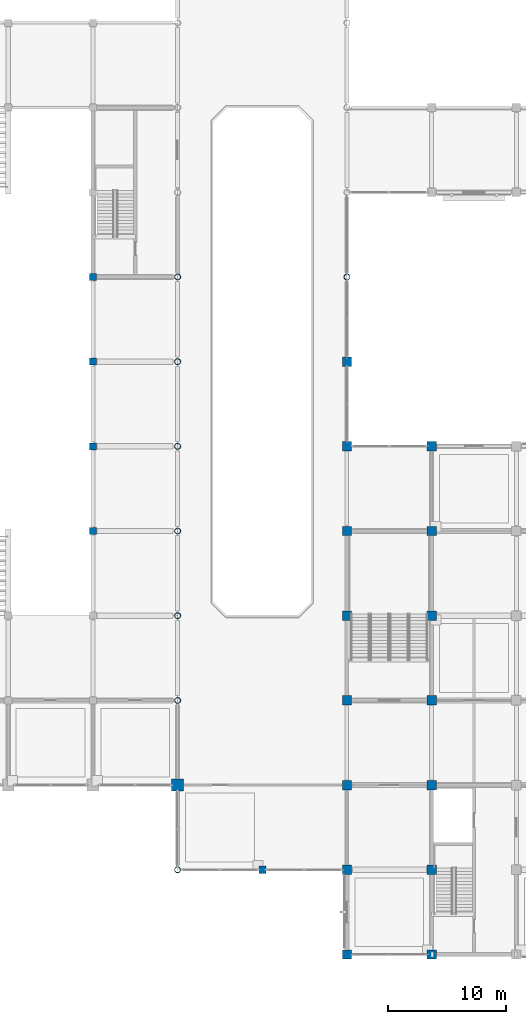
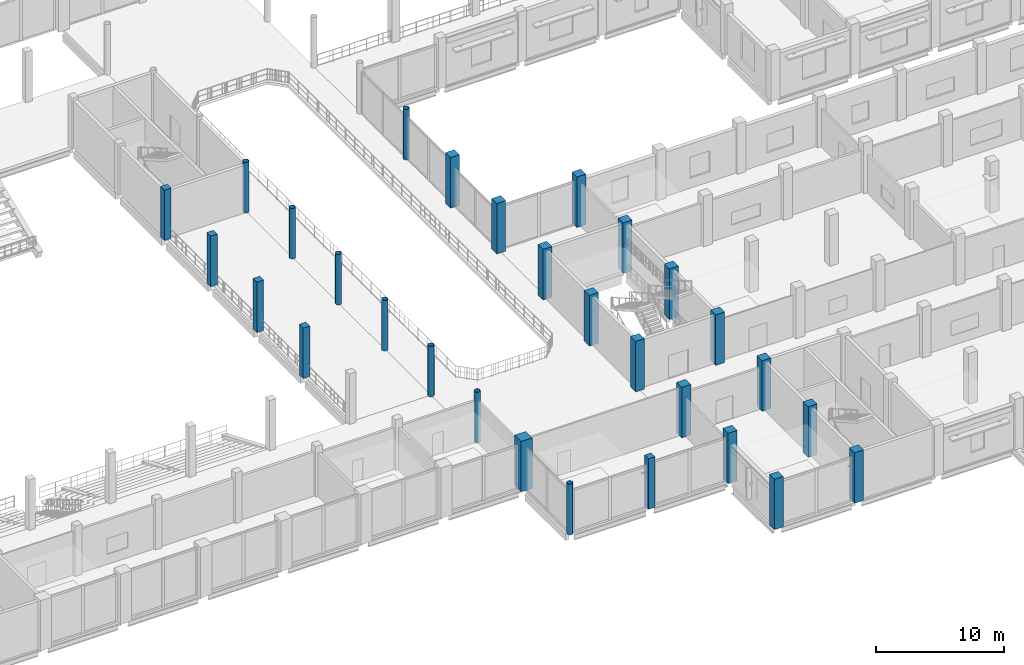
# One storey, part 2 of 99: 29 columns.
"""IFC4 building model written with IfcOpenShell, lengths in metres."""

from ifc_helpers import new_model, si_unit, direction, frame, origin, origin_2d, place, context, subcontext, project, spatial, rectangle, hollow_circle, extrude, material, material_profile, profile_set, type_object, element, save


model = new_model("IFC4")

# Units and contexts
model_context = context("Model", 3, precision=1e-05, world=origin(), true_north=direction((0.0, 1.0)))
body_context = subcontext(model_context, "Body", "Model", "MODEL_VIEW")
ifc_project = project(units=[si_unit("LENGTHUNIT", "METRE"), si_unit("AREAUNIT", "SQUARE_METRE"), si_unit("VOLUMEUNIT", "CUBIC_METRE"), si_unit("PLANEANGLEUNIT", "RADIAN"), si_unit("MASSUNIT", "GRAM", prefix="KILO")], contexts=[model_context])

# Site, building, storey
site_placement = place(None, origin())
site = spatial("IfcSite", under=ifc_project, at=site_placement, CompositionType="ELEMENT")
building_placement = place(site_placement, origin())
building = spatial("IfcBuilding", under=site, at=building_placement, Name="Vesperath Aquatics Centre", CompositionType="ELEMENT")
storey_placement = place(building_placement, frame((0.0, 0.0, 5.39990234375)))
storey = spatial("IfcBuildingStorey", under=building, at=storey_placement, Name="L01", CompositionType="ELEMENT", Elevation=5.39990234375)

# Columns
ifc_material_1 = material(Name="Concrete C40", Category="concrete")
ifc_material_profile_1 = material_profile(ifc_material_1, rectangle(XDim=1.0, YDim=1.0, at=origin_2d()), Name="RC 1000x1000")
ifc_profile_set_1 = profile_set([ifc_material_profile_1], Name="Concrete C40")
column_type_1 = type_object("IfcColumnType", Name="CL-C02", PredefinedType="COLUMN", material=ifc_profile_set_1)
column_placement = place(storey_placement, frame((100.800048828125, 14.39990234375, 0.0), z_axis=(0.0, 0.0, 1.0), x_axis=(1.0, 0.0, 0.0)))
element("IfcColumn", 1, at=column_placement, inside=storey, type_object=column_type_1, Name="Column C02 L01 15/C", PredefinedType="COLUMN", context=body_context, shape_type="SweptSolid", body=[
    extrude(rectangle(XDim=1.0, YDim=1.0, at=origin_2d()), origin(), (0.0, 0.0, 1.0), 4.800048828125),
])
ifc_material_profile_2 = material_profile(ifc_material_1, rectangle(XDim=0.800048828125, YDim=0.800048828125, at=origin_2d()), Name="RC 800x800")
ifc_profile_set_2 = profile_set([ifc_material_profile_2], Name="Concrete C40")
column_type_2 = type_object("IfcColumnType", Name="CL-C04", PredefinedType="COLUMN", material=ifc_profile_set_2)
for number, where, z_axis, x_axis, name in (
    (2, (115.199951171875, 0.0, 0.0), (0.0, 0.0, 1.0), (1.0, 0.0, 0.0), "Column C04 L01 17/A"),
    (3, (115.199951171875, 7.199951171875, 0.0), (0.0, 0.0, 1.0), (1.0, 0.0, 0.0), "Column C04 L01 17/B"),
    (4, (115.199951171875, 14.39990234375, 0.0), (0.0, 0.0, 1.0), (1.0, 0.0, 0.0), "Column C04 L01 17/C"),
    (5, (115.199951171875, 21.60009765625, 0.0), (0.0, 0.0, 1.0), (1.0, 0.0, 0.0), "Column C04 L01 17/D"),
    (6, (115.199951171875, 28.800048828125, 0.0), (0.0, 0.0, 1.0), (1.0, 0.0, 0.0), "Column C04 L01 17/E"),
    (7, (115.199951171875, 36.0, 0.0), (0.0, 0.0, 1.0), (1.0, 0.0, 0.0), "Column C04 L01 17/F"),
    (8, (115.199951171875, 43.199951171875, 0.0), (0.0, 0.0, 1.0), (1.0, 0.0, 0.0), "Column C04 L01 17/G"),
    (9, (115.199951171875, 50.39990234375, 0.0), (0.0, 0.0, 1.0), (1.0, 0.0, 0.0), "Column C04 L01 17/H"),
    (10, (122.39990234375, 0.0, 0.0), (0.0, 0.0, 1.0), (1.0, 0.0, 0.0), "Column C04 L01 18/A"),
    (11, (122.39990234375, 7.199951171875, 0.0), (0.0, 0.0, 1.0), (1.0, 0.0, 0.0), "Column C04 L01 18/B"),
    (12, (122.39990234375, 14.39990234375, 0.0), (0.0, 0.0, 1.0), (1.0, 0.0, 0.0), "Column C04 L01 18/C"),
    (13, (122.39990234375, 21.60009765625, 0.0), (0.0, 0.0, 1.0), (1.0, 0.0, 0.0), "Column C04 L01 18/D"),
    (14, (122.39990234375, 28.800048828125, 0.0), (0.0, 0.0, 1.0), (1.0, 0.0, 0.0), "Column C04 L01 18/E"),
    (15, (122.39990234375, 36.0, 0.0), (0.0, 0.0, 1.0), (1.0, 0.0, 0.0), "Column C04 L01 18/F"),
    (16, (122.39990234375, 43.199951171875, 0.0), (0.0, 0.0, 1.0), (1.0, 0.0, 0.0), "Column C04 L01 18/G"),
):
    element("IfcColumn", number, at=place(storey_placement, frame(where, z_axis=z_axis, x_axis=x_axis)), inside=storey, type_object=column_type_2, Name=name, PredefinedType="COLUMN", context=body_context, shape_type="SweptSolid", body=[
        extrude(rectangle(XDim=0.800048828125, YDim=0.800048828125, at=origin_2d()), origin(), (0.0, 0.0, 1.0), 4.800048828125),
    ])
ifc_material_profile_3 = material_profile(ifc_material_1, rectangle(XDim=0.60009765625, YDim=0.60009765625, at=origin_2d()), Name="RC 600x600")
ifc_profile_set_3 = profile_set([ifc_material_profile_3], Name="Concrete C40")
column_type_3 = type_object("IfcColumnType", Name="CL-C06", PredefinedType="COLUMN", material=ifc_profile_set_3)
for number, where, z_axis, x_axis, name in (
    (17, (93.60009765625, 36.0, 0.0), (0.0, 0.0, 1.0), (1.0, 0.0, 0.0), "Column C06 L01 14/F"),
    (18, (93.60009765625, 43.199951171875, 0.0), (0.0, 0.0, 1.0), (1.0, 0.0, 0.0), "Column C06 L01 14/G"),
    (19, (93.60009765625, 50.39990234375, 0.0), (0.0, 0.0, 1.0), (1.0, 0.0, 0.0), "Column C06 L01 14/H"),
    (20, (93.60009765625, 57.60009765625, 0.0), (0.0, 0.0, 1.0), (1.0, 0.0, 0.0), "Column C06 L01 14/J"),
    (21, (108.0, 7.199951171875, 0.0), (0.0, 0.0, 1.0), (1.0, 0.0, 0.0), "Column C06 L01 16/B"),
):
    element("IfcColumn", number, at=place(storey_placement, frame(where, z_axis=z_axis, x_axis=x_axis)), inside=storey, type_object=column_type_3, Name=name, PredefinedType="COLUMN", context=body_context, shape_type="SweptSolid", body=[
        extrude(rectangle(XDim=0.60009765625, YDim=0.60009765625, at=origin_2d()), origin(), (0.0, 0.0, 1.0), 4.800048828125),
    ])
ifc_material_2 = material(Name="Steel Q355D", Category="steel")
ifc_material_profile_4 = material_profile(ifc_material_2, hollow_circle(Radius=0.25390625, WallThickness=0.02197265625, at=origin_2d()), Name="CHS 508.0x22")
ifc_profile_set_4 = profile_set([ifc_material_profile_4], Name="Steel Q355D")
column_type_4 = type_object("IfcColumnType", Name="CL-C12", PredefinedType="COLUMN", material=ifc_profile_set_4)
for number, where, z_axis, x_axis, name in (
    (22, (100.800048828125, 7.199951171875, 0.0), (0.0, 0.0, 1.0), (1.0, 0.0, 0.0), "Column C12 L01 15/B"),
    (23, (100.800048828125, 21.60009765625, 0.0), (0.0, 0.0, 1.0), (1.0, 0.0, 0.0), "Column C12 L01 15/D"),
    (24, (100.800048828125, 28.800048828125, 0.0), (0.0, 0.0, 1.0), (1.0, 0.0, 0.0), "Column C12 L01 15/E"),
    (25, (100.800048828125, 36.0, 0.0), (0.0, 0.0, 1.0), (1.0, 0.0, 0.0), "Column C12 L01 15/F"),
    (26, (100.800048828125, 43.199951171875, 0.0), (0.0, 0.0, 1.0), (1.0, 0.0, 0.0), "Column C12 L01 15/G"),
    (27, (100.800048828125, 50.39990234375, 0.0), (0.0, 0.0, 1.0), (1.0, 0.0, 0.0), "Column C12 L01 15/H"),
    (28, (100.800048828125, 57.60009765625, 0.0), (0.0, 0.0, 1.0), (1.0, 0.0, 0.0), "Column C12 L01 15/J"),
    (29, (115.199951171875, 57.60009765625, 0.0), (0.0, 0.0, 1.0), (1.0, 0.0, 0.0), "Column C12 L01 17/J"),
):
    element("IfcColumn", number, at=place(storey_placement, frame(where, z_axis=z_axis, x_axis=x_axis)), inside=storey, type_object=column_type_4, Name=name, PredefinedType="COLUMN", context=body_context, shape_type="SweptSolid", body=[
        extrude(hollow_circle(Radius=0.25390625, WallThickness=0.02197265625, at=origin_2d()), origin(), (0.0, 0.0, 1.0), 4.800048828125),
    ])

save(model, "model.ifc")
